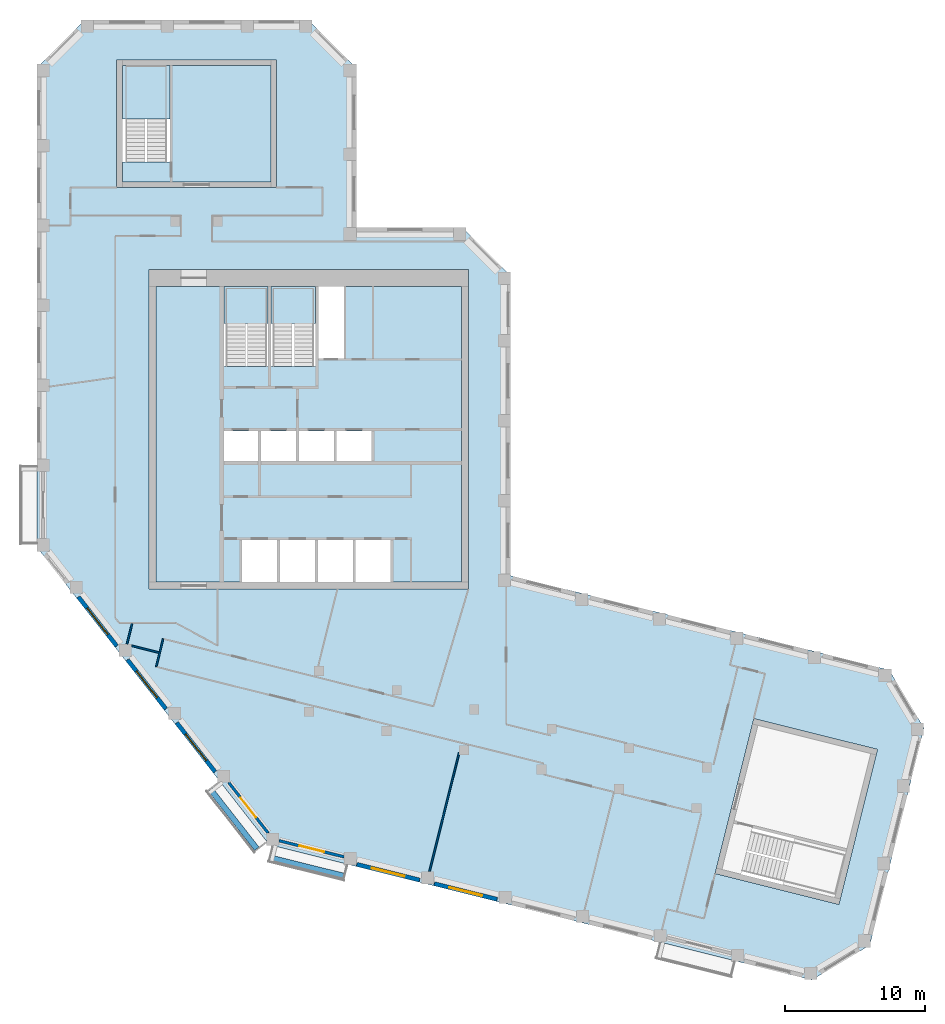
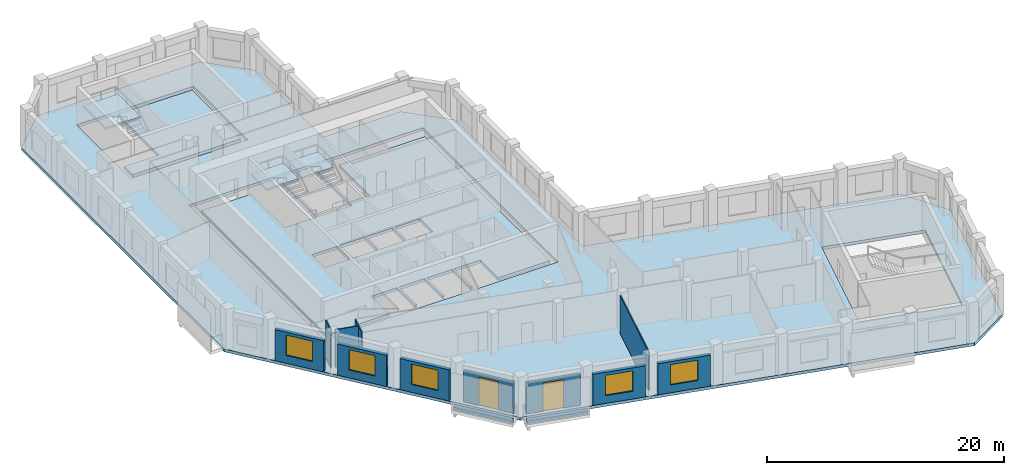
# One storey, part 2 of 8: 13 walls, 6 slabs, 5 windows, 2 doors, 7 openings, 3 elements without a shape of their own.
"""IFC4 building model written with IfcOpenShell, lengths in metres."""

from ifc_helpers import new_model, si_unit, direction, frame, frame_2d, origin, place, context, subcontext, project, spatial, polyline, rectangle, outline, extrude, material, layer, layer_set, type_object, element, fill, aggregate, save


model = new_model("IFC4")

# Units and contexts
model_context = context("Model", 3, precision=1e-05, world=origin(), true_north=direction((0.0, 1.0)))
body_context = subcontext(model_context, "Body", "Model", "MODEL_VIEW")
ifc_project = project(units=[si_unit("LENGTHUNIT", "METRE"), si_unit("AREAUNIT", "SQUARE_METRE"), si_unit("VOLUMEUNIT", "CUBIC_METRE"), si_unit("PLANEANGLEUNIT", "RADIAN"), si_unit("MASSUNIT", "GRAM", prefix="KILO")], contexts=[model_context])

# Site, building, storey
site_placement = place(None, origin())
site = spatial("IfcSite", under=ifc_project, at=site_placement, CompositionType="ELEMENT")
building_placement = place(site_placement, origin())
building = spatial("IfcBuilding", under=site, at=building_placement, Name="Meshkara Civic Tower", CompositionType="ELEMENT")
storey_placement = place(building_placement, frame((0.0, 0.0, 358.199951171875)))
storey = spatial("IfcBuildingStorey", under=building, at=storey_placement, Name="L82", CompositionType="ELEMENT", Elevation=358.199951171875)

# Slabs
ifc_material_1 = material(Name="Concrete C40/50", Category="concrete")
ifc_layer_1 = layer(ifc_material_1, 0.300048828125)
ifc_layer_set_1 = layer_set([ifc_layer_1], Name="Core floor slab 300 C40/50")
slab_type_1 = type_object("IfcSlabType", Name="Core floor slab 300 C40/50", PredefinedType="FLOOR", material=ifc_layer_set_1)
slab_1_placement = place(storey_placement, frame((0.0, 0.0, -0.300048828125)))
element("IfcSlab", 1, at=slab_1_placement, inside=storey, type_object=slab_type_1, Name="Core floor K", PredefinedType="FLOOR", context=body_context, shape_type="SweptSolid", body=[
    extrude(outline(polyline([(8.5, 35.699951171875), (13.35009765625, 35.699951171875), (13.35009765625, 30.00146484375), (16.5, 30.00146484375), (16.5, 35.699951171875), (16.699951171875, 35.699951171875), (16.699951171875, 30.00146484375), (19.89990234375, 30.00146484375), (19.89990234375, 35.699951171875), (20.10009765625, 35.699951171875), (20.10009765625, 30.574951171875), (21.925048828125, 30.574951171875), (21.925048828125, 35.699951171875), (30.300048828125, 35.699951171875), (30.300048828125, 14.60009765625), (25.25, 14.60009765625), (25.25, 17.60009765625), (22.75, 17.60009765625), (22.75, 14.60009765625), (22.550048828125, 14.60009765625), (22.550048828125, 17.60009765625), (20.050048828125, 17.60009765625), (20.050048828125, 14.60009765625), (19.85009765625, 14.60009765625), (19.85009765625, 17.60009765625), (17.35009765625, 17.60009765625), (17.35009765625, 14.60009765625), (17.14990234375, 14.60009765625), (17.14990234375, 17.60009765625), (14.64990234375, 17.60009765625), (14.64990234375, 14.60009765625), (8.5, 14.60009765625), (8.5, 35.699951171875)]), holes=[polyline([(13.35009765625, 23.25), (15.800048828125, 23.25), (15.800048828125, 25.39990234375), (13.35009765625, 25.39990234375), (13.35009765625, 23.25)]), polyline([(18.5, 23.25), (18.5, 25.39990234375), (16.0, 25.39990234375), (16.0, 23.25), (18.5, 23.25)]), polyline([(18.699951171875, 23.25), (21.199951171875, 23.25), (21.199951171875, 25.39990234375), (18.699951171875, 25.39990234375), (18.699951171875, 23.25)]), polyline([(23.89990234375, 23.25), (23.89990234375, 25.39990234375), (21.39990234375, 25.39990234375), (21.39990234375, 23.25), (23.89990234375, 23.25)])]), origin(), (0.0, 0.0, 1.0), 0.300048828125),
])
slab_2_placement = place(storey_placement, frame((0.0, 0.0, -0.300048828125)))
element("IfcSlab", 2, at=slab_2_placement, inside=storey, type_object=slab_type_1, Name="Core floor EA", PredefinedType="FLOOR", context=body_context, shape_type="SweptSolid", body=[
    extrude(outline(polyline([(16.699951171875, 43.169921875), (16.699951171875, 51.469970703125), (9.5, 51.469970703125), (9.5, 44.571533203125), (6.10009765625, 44.571533203125), (6.10009765625, 43.169921875), (16.699951171875, 43.169921875)])), origin(), (0.0, 0.0, 1.0), 0.300048828125),
])

# Stair, slab
ifc_material_2 = material(Name="Precast concrete C40/50", Category="concrete")
stair_type = type_object("IfcStairType", Name="Exit stair half-turn 24 risers precast", PredefinedType="HALF_TURN_STAIR", material=ifc_material_2)
stair_1_placement = place(storey_placement, origin())
stair_1 = element("IfcStair", 3, at=stair_1_placement, inside=storey, type_object=stair_type, Name="L82 exit stair 1", PredefinedType="HALF_TURN_STAIR")
ifc_material_3 = material(Name="Precast concrete C40/50", Category="concrete")
ifc_layer_2 = layer(ifc_material_3, 0.199951171875)
ifc_layer_set_2 = layer_set([ifc_layer_2], Name="Exit stair landing 200")
slab_type_2 = type_object("IfcSlabType", Name="Exit stair landing 200", PredefinedType="LANDING", material=ifc_layer_set_2)
slab_3_placement = place(storey_placement, frame((0.0, 0.0, 1.900146484375)))
slab_3 = element("IfcSlab", 4, at=slab_3_placement, type_object=slab_type_2, Name="ST1 landing 1", PredefinedType="LANDING", context=body_context, shape_type="SweptSolid", body=[
    extrude(outline(polyline([(16.5, 33.07861328125), (16.5, 35.699951171875), (13.35009765625, 35.699951171875), (13.35009765625, 33.07861328125), (16.5, 33.07861328125)])), origin(), (0.0, 0.0, 1.0), 0.199951171875),
])
aggregate(stair_1, [slab_3])

stair_2_placement = place(storey_placement, origin())
stair_2 = element("IfcStair", 5, at=stair_2_placement, inside=storey, type_object=stair_type, Name="L82 exit stair 2", PredefinedType="HALF_TURN_STAIR")
slab_4_placement = place(storey_placement, frame((0.0, 0.0, 1.900146484375)))
slab_4 = element("IfcSlab", 6, at=slab_4_placement, type_object=slab_type_2, Name="ST2 landing 1", PredefinedType="LANDING", context=body_context, shape_type="SweptSolid", body=[
    extrude(outline(polyline([(19.89990234375, 33.07861328125), (19.89990234375, 35.699951171875), (16.699951171875, 35.699951171875), (16.699951171875, 33.07861328125), (19.89990234375, 33.07861328125)])), origin(), (0.0, 0.0, 1.0), 0.199951171875),
])
aggregate(stair_2, [slab_4])

stair_3_placement = place(storey_placement, origin())
stair_3 = element("IfcStair", 7, at=stair_3_placement, inside=storey, type_object=stair_type, Name="L82 exit stair A from L80", PredefinedType="HALF_TURN_STAIR")
slab_5_placement = place(storey_placement, frame((0.0, 0.0, 1.900146484375)))
slab_5 = element("IfcSlab", 8, at=slab_5_placement, type_object=slab_type_2, Name="ESA6 landing 1", PredefinedType="LANDING", context=body_context, shape_type="SweptSolid", body=[
    extrude(outline(polyline([(9.5, 47.6484375), (9.5, 51.469970703125), (6.10009765625, 51.469970703125), (6.10009765625, 47.6484375), (9.5, 47.6484375)])), origin(), (0.0, 0.0, 1.0), 0.199951171875),
])
aggregate(stair_3, [slab_5])

# Slab
ifc_material_4 = material(Name="Concrete C50", Category="concrete")
ifc_layer_3 = layer(ifc_material_4, 0.300048828125)
ifc_layer_set_3 = layer_set([ifc_layer_3], Name="Post-tensioned flat slab 300 C50")
slab_type_3 = type_object("IfcSlabType", Name="Post-tensioned flat slab 300 C50", PredefinedType="FLOOR", material=ifc_layer_set_3)
slab_6_placement = place(storey_placement, frame((0.0, 0.0, -0.300048828125)))
element("IfcSlab", 9, at=slab_6_placement, inside=storey, type_object=slab_type_3, Name="Post-tensioned flat slab L82", PredefinedType="FLOOR", context=body_context, shape_type="SweptSolid", body=[
    extrude(outline(polyline([(59.452880859375, -11.299072265625), (55.306884765625, -13.7900390625), (16.592041015625, -4.136962890625), (0.0, 17.10009765625), (0.0, 51.300048828125), (3.419921875, 54.719970703125), (19.3798828125, 54.719970703125), (22.800048828125, 51.300048828125), (22.800048828125, 39.89990234375), (30.3798828125, 39.89990234375), (33.800048828125, 36.47998046875), (33.800048828125, 15.071044921875), (60.822998046875, 8.3330078125), (63.31396484375, 4.18701171875), (59.452880859375, -11.299072265625)]), holes=[polyline([(57.239013671875, -8.39697265625), (59.9970703125, 2.6650390625), (51.1669921875, 4.865966796875), (48.408935546875, -6.195068359375), (57.239013671875, -8.39697265625)]), polyline([(8.0, 14.10009765625), (30.800048828125, 14.10009765625), (30.800048828125, 36.89990234375), (8.0, 36.89990234375), (8.0, 14.10009765625)]), polyline([(5.699951171875, 51.8701171875), (5.699951171875, 42.77001953125), (17.10009765625, 42.77001953125), (17.10009765625, 51.8701171875), (5.699951171875, 51.8701171875)])]), origin(), (0.0, 0.0, 1.0), 0.300048828125),
])

# Wall
ifc_material_5 = material(Name="Corridor wall 100")
ifc_layer_4 = layer(ifc_material_5, 0.10009765625)
ifc_layer_set_4 = layer_set([ifc_layer_4], Name="Corridor wall 100")
wall_type_1 = type_object("IfcWallType", Name="Corridor wall 100", PredefinedType="PARTITIONING", material=ifc_layer_set_4)
wall_1_placement = place(storey_placement, frame((9.01708984375, 10.55810546875, 0.0), z_axis=(0.0, 0.0, 1.0), x_axis=(-0.241751728323, -0.970338137895, 0.0)))
element("IfcWall", 10, at=wall_1_placement, inside=storey, type_object=wall_type_1, Name="L82-W009", PredefinedType="PARTITIONING", context=body_context, shape_type="SweptSolid", body=[
    extrude(rectangle(XDim=2.052001953125, YDim=0.10009765625, at=frame_2d((1.02587890625, 0.0))), origin(), (0.0, 0.0, 1.0), 3.900146484375),
])

# Wall, opening, window
ifc_material_6 = material(Name="Insulated infill panel with bronze anodised aluminium cladding", Category="aluminium")
ifc_layer_5 = layer(ifc_material_6, 0.300048828125)
ifc_layer_set_5 = layer_set([ifc_layer_5], Name="EXTERNAL INFILL WALL 300")
wall_type_2 = type_object("IfcWallType", Name="EXTERNAL INFILL WALL 300", PredefinedType="SOLIDWALL", material=ifc_layer_set_5)
wall_2_placement = place(storey_placement, frame((2.967041015625, 13.547119140625, 0.0), z_axis=(0.0, 0.0, 1.0), x_axis=(0.615486001463, -0.788147817356, 0.0)))
wall_2 = element("IfcWall", 11, at=wall_2_placement, inside=storey, type_object=wall_type_2, Name="External wall", PredefinedType="SOLIDWALL", context=body_context, shape_type="SweptSolid", body=[
    extrude(rectangle(XDim=4.43701171875, YDim=0.300048828125, at=frame_2d((2.218505859375, 0.0))), origin(), (0.0, 0.0, 1.0), 3.199951171875),
])
opening_1_placement = place(wall_2_placement, frame((1.01806640625, 0.0, 0.800048828125)))
opening_1 = element("IfcOpeningElement", 12, at=opening_1_placement, cuts=wall_2, Name="Opening W7", PredefinedType="OPENING", context=body_context, shape_type="SweptSolid", body=[
    extrude(rectangle(XDim=2.39990234375, YDim=2.10009765625, at=frame_2d((1.199951171875, 1.050048828125))), frame((0.0, 0.159912109375, 0.0), z_axis=(0.0, -1.0, 0.0), x_axis=(1.0, 0.0, 0.0)), (0.0, 0.0, 1.0), 0.320068359375),
])
ifc_material_7 = material(Name="Tinted double glazing", Category="glass")
window_type = type_object("IfcWindowType", Name="WINDOW 2400x2100", PartitioningType="DOUBLE_PANEL_VERTICAL", PredefinedType="WINDOW", material=ifc_material_7)
window_1_placement = place(opening_1_placement, origin())
window_1 = element("IfcWindow", 13, at=window_1_placement, inside=storey, type_object=window_type, Name="Window", OverallHeight=2.10009765625, OverallWidth=2.39990234375, PartitioningType="DOUBLE_PANEL_VERTICAL", PredefinedType="WINDOW", context=body_context, shape_type="SweptSolid", body=[
    extrude(rectangle(XDim=2.39990234375, YDim=2.10009765625, at=frame_2d((1.199951171875, 1.050048828125))), frame((0.0, 0.030029296875, 0.0), z_axis=(0.0, -1.0, 0.0), x_axis=(1.0, 0.0, 0.0)), (0.0, 0.0, 1.0), 0.06005859375),
])
fill(opening_1, window_1)

wall_3_placement = place(storey_placement, frame((6.47607421875, 9.054931640625, 0.0), z_axis=(0.0, 0.0, 1.0), x_axis=(0.615649380255, -0.788020203162, 0.0)))
wall_3 = element("IfcWall", 14, at=wall_3_placement, inside=storey, type_object=wall_type_2, Name="External wall", PredefinedType="SOLIDWALL", context=body_context, shape_type="SweptSolid", body=[
    extrude(rectangle(XDim=4.4375, YDim=0.300048828125, at=frame_2d((2.21875, 0.0))), origin(), (0.0, 0.0, 1.0), 3.199951171875),
])
opening_2_placement = place(wall_3_placement, frame((1.01904296875, 0.0, 0.800048828125)))
opening_2 = element("IfcOpeningElement", 15, at=opening_2_placement, cuts=wall_3, Name="Opening W7", PredefinedType="OPENING", context=body_context, shape_type="SweptSolid", body=[
    extrude(rectangle(XDim=2.39990234375, YDim=2.10009765625, at=frame_2d((1.199951171875, 1.050048828125))), frame((0.0, 0.159912109375, 0.0), z_axis=(0.0, -1.0, 0.0), x_axis=(1.0, 0.0, 0.0)), (0.0, 0.0, 1.0), 0.320068359375),
])
window_2_placement = place(opening_2_placement, origin())
window_2 = element("IfcWindow", 16, at=window_2_placement, inside=storey, type_object=window_type, Name="Window", OverallHeight=2.10009765625, OverallWidth=2.39990234375, PartitioningType="DOUBLE_PANEL_VERTICAL", PredefinedType="WINDOW", context=body_context, shape_type="SweptSolid", body=[
    extrude(rectangle(XDim=2.39990234375, YDim=2.10009765625, at=frame_2d((1.199951171875, 1.050048828125))), frame((0.0, 0.030029296875, 0.0), z_axis=(0.0, -1.0, 0.0), x_axis=(1.0, 0.0, 0.0)), (0.0, 0.0, 1.0), 0.06005859375),
])
fill(opening_2, window_2)

wall_4_placement = place(storey_placement, frame((9.986083984375, 4.56298828125, 0.0), z_axis=(0.0, 0.0, 1.0), x_axis=(0.615592779411, -0.788064419915, 0.0)))
wall_4 = element("IfcWall", 17, at=wall_4_placement, inside=storey, type_object=wall_type_2, Name="External wall", PredefinedType="SOLIDWALL", context=body_context, shape_type="SweptSolid", body=[
    extrude(rectangle(XDim=4.436279296875, YDim=0.300048828125, at=frame_2d((2.21826171875, 0.0))), origin(), (0.0, 0.0, 1.0), 3.199951171875),
])
opening_3_placement = place(wall_4_placement, frame((1.01806640625, 0.0, 0.800048828125)))
opening_3 = element("IfcOpeningElement", 18, at=opening_3_placement, cuts=wall_4, Name="Opening W7", PredefinedType="OPENING", context=body_context, shape_type="SweptSolid", body=[
    extrude(rectangle(XDim=2.39990234375, YDim=2.10009765625, at=frame_2d((1.199951171875, 1.050048828125))), frame((0.0, 0.159912109375, 0.0), z_axis=(0.0, -1.0, 0.0), x_axis=(1.0, 0.0, 0.0)), (0.0, 0.0, 1.0), 0.320068359375),
])
window_3_placement = place(opening_3_placement, origin())
window_3 = element("IfcWindow", 19, at=window_3_placement, inside=storey, type_object=window_type, Name="Window", OverallHeight=2.10009765625, OverallWidth=2.39990234375, PartitioningType="DOUBLE_PANEL_VERTICAL", PredefinedType="WINDOW", context=body_context, shape_type="SweptSolid", body=[
    extrude(rectangle(XDim=2.39990234375, YDim=2.10009765625, at=frame_2d((1.199951171875, 1.050048828125))), frame((0.0, 0.030029296875, 0.0), z_axis=(0.0, -1.0, 0.0), x_axis=(1.0, 0.0, 0.0)), (0.0, 0.0, 1.0), 0.06005859375),
])
fill(opening_3, window_3)

wall_5_placement = place(storey_placement, frame((22.839111328125, -5.5400390625, 0.0), z_axis=(0.0, 0.0, 1.0), x_axis=(0.970282587769, -0.241974585177, 0.0)))
wall_5 = element("IfcWall", 20, at=wall_5_placement, inside=storey, type_object=wall_type_2, Name="External wall", PredefinedType="SOLIDWALL", context=body_context, shape_type="SweptSolid", body=[
    extrude(rectangle(XDim=4.60791015625, YDim=0.300048828125, at=frame_2d((2.303955078125, 0.0))), origin(), (0.0, 0.0, 1.0), 3.199951171875),
])
opening_4_placement = place(wall_5_placement, frame((1.10400390625, 0.0, 0.800048828125)))
opening_4 = element("IfcOpeningElement", 21, at=opening_4_placement, cuts=wall_5, Name="Opening W7", PredefinedType="OPENING", context=body_context, shape_type="SweptSolid", body=[
    extrude(rectangle(XDim=2.39990234375, YDim=2.10009765625, at=frame_2d((1.199951171875, 1.050048828125))), frame((0.0, 0.159912109375, 0.0), z_axis=(0.0, -1.0, 0.0), x_axis=(1.0, 0.0, 0.0)), (0.0, 0.0, 1.0), 0.320068359375),
])
window_4_placement = place(opening_4_placement, origin())
window_4 = element("IfcWindow", 22, at=window_4_placement, inside=storey, type_object=window_type, Name="Window", OverallHeight=2.10009765625, OverallWidth=2.39990234375, PartitioningType="DOUBLE_PANEL_VERTICAL", PredefinedType="WINDOW", context=body_context, shape_type="SweptSolid", body=[
    extrude(rectangle(XDim=2.39990234375, YDim=2.10009765625, at=frame_2d((1.199951171875, 1.050048828125))), frame((0.0, 0.030029296875, 0.0), z_axis=(0.0, -1.0, 0.0), x_axis=(1.0, 0.0, 0.0)), (0.0, 0.0, 1.0), 0.06005859375),
])
fill(opening_4, window_4)

wall_6_placement = place(storey_placement, frame((28.368896484375, -6.9189453125, 0.0), z_axis=(0.0, 0.0, 1.0), x_axis=(0.970298093093, -0.241912402618, 0.0)))
wall_6 = element("IfcWall", 23, at=wall_6_placement, inside=storey, type_object=wall_type_2, Name="External wall", PredefinedType="SOLIDWALL", context=body_context, shape_type="SweptSolid", body=[
    extrude(rectangle(XDim=4.609130859375, YDim=0.300048828125, at=frame_2d((2.3046875, 0.0))), origin(), (0.0, 0.0, 1.0), 3.199951171875),
])
opening_5_placement = place(wall_6_placement, frame((1.10498046875, 0.0, 0.800048828125)))
opening_5 = element("IfcOpeningElement", 24, at=opening_5_placement, cuts=wall_6, Name="Opening W7", PredefinedType="OPENING", context=body_context, shape_type="SweptSolid", body=[
    extrude(rectangle(XDim=2.39990234375, YDim=2.10009765625, at=frame_2d((1.199951171875, 1.050048828125))), frame((0.0, 0.159912109375, 0.0), z_axis=(0.0, -1.0, 0.0), x_axis=(1.0, 0.0, 0.0)), (0.0, 0.0, 1.0), 0.320068359375),
])
window_5_placement = place(opening_5_placement, origin())
window_5 = element("IfcWindow", 25, at=window_5_placement, inside=storey, type_object=window_type, Name="Window", OverallHeight=2.10009765625, OverallWidth=2.39990234375, PartitioningType="DOUBLE_PANEL_VERTICAL", PredefinedType="WINDOW", context=body_context, shape_type="SweptSolid", body=[
    extrude(rectangle(XDim=2.39990234375, YDim=2.10009765625, at=frame_2d((1.199951171875, 1.050048828125))), frame((0.0, 0.030029296875, 0.0), z_axis=(0.0, -1.0, 0.0), x_axis=(1.0, 0.0, 0.0)), (0.0, 0.0, 1.0), 0.06005859375),
])
fill(opening_5, window_5)

# Wall, opening, door
ifc_material_8 = material(Name="Insulated infill panel with bronze anodised aluminium cladding", Category="aluminium")
ifc_layer_6 = layer(ifc_material_8, 0.199951171875)
ifc_layer_set_6 = layer_set([ifc_layer_6], Name="LOGGIA BACK WALL 200")
wall_type_3 = type_object("IfcWallType", Name="LOGGIA BACK WALL 200", PredefinedType="SOLIDWALL", material=ifc_layer_set_6)
wall_7_placement = place(storey_placement, frame((13.694091796875, 0.303955078125, 0.0), z_axis=(0.0, 0.0, 1.0), x_axis=(0.615460024179, -0.788168103033, 0.0)))
wall_7 = element("IfcWall", 26, at=wall_7_placement, inside=storey, type_object=wall_type_3, Name="Loggia wall", PredefinedType="SOLIDWALL", context=body_context, shape_type="SweptSolid", body=[
    extrude(rectangle(XDim=4.557373046875, YDim=0.199951171875, at=frame_2d((2.27880859375, 0.0))), origin(), (0.0, 0.0, 1.0), 3.199951171875),
])
opening_6_placement = place(wall_7_placement, frame((1.37890625, 0.0, 0.0)))
opening_6 = element("IfcOpeningElement", 27, at=opening_6_placement, cuts=wall_7, Name="Opening L82-L002", PredefinedType="OPENING", context=body_context, shape_type="SweptSolid", body=[
    extrude(rectangle(XDim=1.800048828125, YDim=2.89990234375, at=frame_2d((0.89990234375, 1.449951171875))), frame((0.0, 0.10986328125, 0.0), z_axis=(0.0, -1.0, 0.0), x_axis=(1.0, 0.0, 0.0)), (0.0, 0.0, 1.0), 0.219970703125),
])
ifc_material_9 = material(Name="Tinted double glazing", Category="glass")
door_type = type_object("IfcDoorType", Name="LOGGIA DOOR 1800x2900", OperationType="DOUBLE_DOOR_SINGLE_SWING", PredefinedType="DOOR", material=ifc_material_9)
door_1_placement = place(opening_6_placement, origin())
door_1 = element("IfcDoor", 28, at=door_1_placement, inside=storey, type_object=door_type, Name="L82-L002", OperationType="DOUBLE_DOOR_SINGLE_SWING", OverallHeight=2.89990234375, OverallWidth=1.800048828125, PredefinedType="DOOR", context=body_context, shape_type="SweptSolid", body=[
    extrude(rectangle(XDim=1.800048828125, YDim=2.89990234375, at=frame_2d((0.89990234375, 1.449951171875))), frame((0.0, 0.02490234375, 0.0), z_axis=(0.0, -1.0, 0.0), x_axis=(1.0, 0.0, 0.0)), (0.0, 0.0, 1.0), 0.050048828125),
])
fill(opening_6, door_1)

wall_8_placement = place(storey_placement, frame((17.301025390625, -3.85009765625, 0.0), z_axis=(0.0, 0.0, 1.0), x_axis=(0.970286762598, -0.241957844111, 0.0)))
wall_8 = element("IfcWall", 29, at=wall_8_placement, inside=storey, type_object=wall_type_3, Name="Loggia wall", PredefinedType="SOLIDWALL", context=body_context, shape_type="SweptSolid", body=[
    extrude(rectangle(XDim=4.772705078125, YDim=0.199951171875, at=frame_2d((2.38623046875, 0.0))), origin(), (0.0, 0.0, 1.0), 3.199951171875),
])
opening_7_placement = place(wall_8_placement, frame((1.486083984375, 0.0, 0.0)))
opening_7 = element("IfcOpeningElement", 30, at=opening_7_placement, cuts=wall_8, Name="Opening L82-L003", PredefinedType="OPENING", context=body_context, shape_type="SweptSolid", body=[
    extrude(rectangle(XDim=1.800048828125, YDim=2.89990234375, at=frame_2d((0.89990234375, 1.449951171875))), frame((0.0, 0.10986328125, 0.0), z_axis=(0.0, -1.0, 0.0), x_axis=(1.0, 0.0, 0.0)), (0.0, 0.0, 1.0), 0.219970703125),
])
door_2_placement = place(opening_7_placement, origin())
door_2 = element("IfcDoor", 31, at=door_2_placement, inside=storey, type_object=door_type, Name="L82-L003", OperationType="DOUBLE_DOOR_SINGLE_SWING", OverallHeight=2.89990234375, OverallWidth=1.800048828125, PredefinedType="DOOR", context=body_context, shape_type="SweptSolid", body=[
    extrude(rectangle(XDim=1.800048828125, YDim=2.89990234375, at=frame_2d((0.89990234375, 1.449951171875))), frame((0.0, 0.02490234375, 0.0), z_axis=(0.0, -1.0, 0.0), x_axis=(1.0, 0.0, 0.0)), (0.0, 0.0, 1.0), 0.050048828125),
])
fill(opening_7, door_2)

# Walls
ifc_material_10 = material(Name="Concrete C40", Category="concrete")
ifc_layer_7 = layer(ifc_material_10, 0.39990234375)
ifc_layer_set_7 = layer_set([ifc_layer_7], Name="PLANTER TRAY")
wall_type_4 = type_object("IfcWallType", Name="PLANTER TRAY", PredefinedType="SOLIDWALL", material=ifc_layer_set_7)
wall_9_placement = place(storey_placement, frame((12.39794921875, -0.198974609375, 0.0), z_axis=(0.0, 0.0, 1.0), x_axis=(0.615638738903, -0.788028516719, 0.0)))
element("IfcWall", 32, at=wall_9_placement, inside=storey, type_object=wall_type_4, Name="Planter", PredefinedType="SOLIDWALL", context=body_context, shape_type="SweptSolid", body=[
    extrude(rectangle(XDim=5.3603515625, YDim=0.39990234375, at=frame_2d((2.68017578125, 0.0))), origin(), (0.0, 0.0, 1.0), 0.300048828125),
])
wall_10_placement = place(storey_placement, frame((16.694091796875, -5.069091796875, 0.0), z_axis=(0.0, 0.0, 1.0), x_axis=(0.970289679319, -0.241946147329, 0.0)))
element("IfcWall", 33, at=wall_10_placement, inside=storey, type_object=wall_type_4, Name="Planter", PredefinedType="SOLIDWALL", context=body_context, shape_type="SweptSolid", body=[
    extrude(rectangle(XDim=5.360107421875, YDim=0.39990234375, at=frame_2d((2.68017578125, 0.0))), origin(), (0.0, 0.0, 1.0), 0.300048828125),
])
ifc_material_11 = material(Name="Partition 100")
ifc_layer_8 = layer(ifc_material_11, 0.10009765625)
ifc_layer_set_8 = layer_set([ifc_layer_8], Name="Partition 100")
wall_type_5 = type_object("IfcWallType", Name="Partition 100", PredefinedType="PARTITIONING", material=ifc_layer_set_8)
wall_11_placement = place(storey_placement, frame((6.797119140625, 11.637939453125, 0.0), z_axis=(0.0, 0.0, 1.0), x_axis=(-0.242113049408, -0.970248046278, 0.0)))
element("IfcWall", 34, at=wall_11_placement, inside=storey, type_object=wall_type_5, Name="L82-W035", PredefinedType="PARTITIONING", context=body_context, shape_type="SweptSolid", body=[
    extrude(rectangle(XDim=1.495361328125, YDim=0.10009765625, at=frame_2d((0.74755859375, 0.0))), origin(), (0.0, 0.0, 1.0), 3.900146484375),
])
wall_12_placement = place(storey_placement, frame((8.719970703125, 9.573974609375, 0.0), z_axis=(0.0, 0.0, 1.0), x_axis=(-0.970221168815, 0.24222073318, 0.0)))
element("IfcWall", 35, at=wall_12_placement, inside=storey, type_object=wall_type_5, Name="L82-W036", PredefinedType="PARTITIONING", context=body_context, shape_type="SweptSolid", body=[
    extrude(rectangle(XDim=2.0068359375, YDim=0.10009765625, at=frame_2d((1.00341796875, 0.0))), origin(), (0.0, 0.0, 1.0), 3.900146484375),
])
wall_13_placement = place(storey_placement, frame((28.02587890625, -6.0458984375, 0.0), z_axis=(0.0, 0.0, 1.0), x_axis=(0.241850505633, 0.970313523004, 0.0)))
element("IfcWall", 36, at=wall_13_placement, inside=storey, type_object=wall_type_5, Name="L82-W038", PredefinedType="PARTITIONING", context=body_context, shape_type="SweptSolid", body=[
    extrude(rectangle(XDim=8.720703125, YDim=0.10009765625, at=frame_2d((4.3603515625, 0.0))), origin(), (0.0, 0.0, 1.0), 3.900146484375),
])

save(model, "model.ifc")
